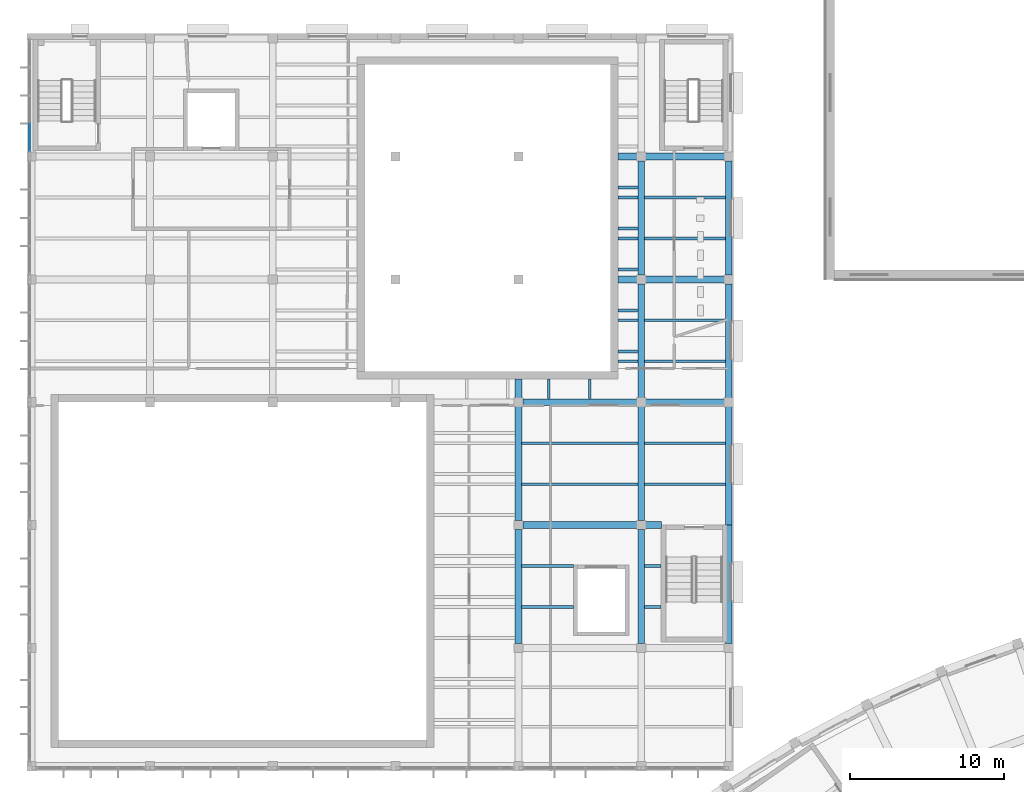
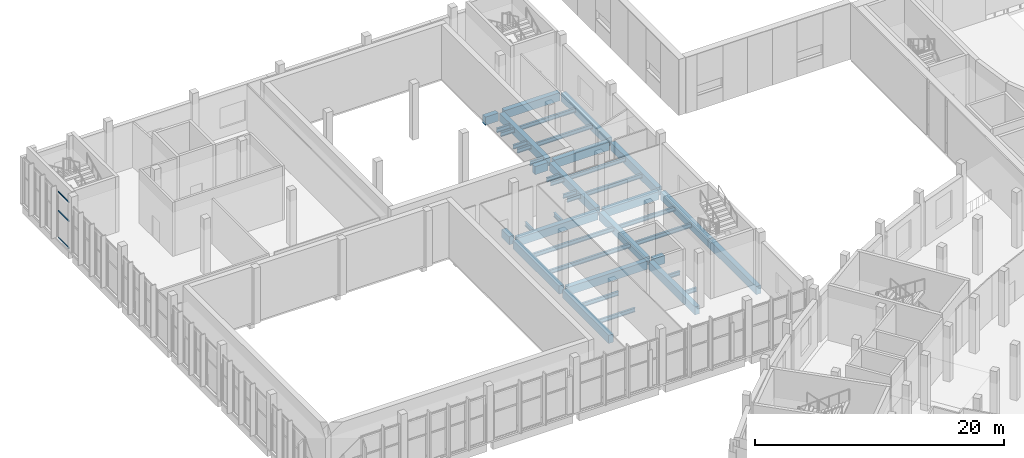
# One storey, part 14 of 87: 42 beams, 3 members, 1 element without a shape of its own.
"""IFC4 building model written with IfcOpenShell, lengths in metres."""

import ifcopenshell
import ifcopenshell.guid

model = None  # the IFC model being written
_history = None  # IfcOwnerHistory: only IFC2X3 demands one
_inside = {}  # id of a spatial element -> (the spatial element, [elements in it])
_under = {}  # id of a project, library or spatial element -> (it, [spatial elements below it])
_declared = {}  # id of a project -> (the project, [libraries it declares])
_typed = {}  # id of a type object -> (the type object, [elements of that type])
_made_of = {}  # id of a material, layer set ... -> (it, [elements and type objects made of it])


def new_model(schema):
    """Start an empty IFC model of exactly this schema.

    Asked for "IFC4X3", IfcOpenShell would pick the latest addendum, in which some entities
    have other attributes; the version numbers below select the first issue.
    IFC2X3 requires an IfcOwnerHistory on every rooted entity: one is made here for all.
    """
    global model, _history
    if schema == "IFC4X3":
        model = ifcopenshell.file(schema_version=(4, 3, 0, 0))
    else:
        model = ifcopenshell.file(schema=schema)
    _inside.clear()
    _under.clear()
    _declared.clear()
    _typed.clear()
    _made_of.clear()
    _history = None
    if model.schema == "IFC2X3":
        org = make("IfcOrganization", Name="unknown")
        user = make(
            "IfcPersonAndOrganization",
            ThePerson=make("IfcPerson", FamilyName="unknown"),
            TheOrganization=org,
        )
        app = make(
            "IfcApplication",
            ApplicationDeveloper=org,
            Version="unknown",
            ApplicationFullName="unknown",
            ApplicationIdentifier="unknown",
        )
        _history = make(
            "IfcOwnerHistory",
            OwningUser=user,
            OwningApplication=app,
            ChangeAction="ADDED",
            CreationDate=0,
        )
    return model


def make(cls, **values):
    """One entity of the class cls with the attributes given. An attribute that is None is left unset."""
    return model.create_entity(
        cls, **{name: value for name, value in values.items() if value is not None}
    )


def rooted(cls, **values):
    """An entity with a GlobalId (a new one), such as an element, a storey or a relation."""
    return make(cls, GlobalId=ifcopenshell.guid.new(), OwnerHistory=_history, **values)


def si_unit(unit_type, name, prefix=None):
    """IfcSIUnit, for example si_unit("LENGTHUNIT", "METRE", prefix="MILLI")."""
    return make("IfcSIUnit", UnitType=unit_type, Prefix=prefix, Name=name)


def assignment(units):
    """IfcUnitAssignment: the units of a project."""
    return None if units is None else make("IfcUnitAssignment", Units=units)


def point(xyz):
    """IfcCartesianPoint."""
    return None if xyz is None else make("IfcCartesianPoint", Coordinates=xyz)


def direction(xyz):
    """IfcDirection."""
    return None if xyz is None else make("IfcDirection", DirectionRatios=xyz)


def frame(location, z_axis=None, x_axis=None):
    """IfcAxis2Placement3D, a coordinate frame: its origin and axes. An axis left out is left unset."""
    return make(
        "IfcAxis2Placement3D",
        Location=point(location),
        Axis=direction(z_axis),
        RefDirection=direction(x_axis),
    )


def frame_2d(location, x_axis=None):
    """IfcAxis2Placement2D, a coordinate frame in the plane: its origin and x axis."""
    return make(
        "IfcAxis2Placement2D", Location=point(location), RefDirection=direction(x_axis)
    )


def origin():
    """The frame at (0, 0, 0) with its axes left unset."""
    return frame((0.0, 0.0, 0.0))


def origin_2d():
    """The frame at (0, 0) in the plane with its x axis left unset."""
    return frame_2d((0.0, 0.0))


def place(relative_to, where):
    """IfcLocalPlacement: puts the frame where relative to a parent placement (None: the world)."""
    return make(
        "IfcLocalPlacement", PlacementRelTo=relative_to, RelativePlacement=where
    )


def context(
    kind, dimensions, precision=None, world=None, true_north=None, identifier=None
):
    """IfcGeometricRepresentationContext, for example the 3D "Model" context."""
    return make(
        "IfcGeometricRepresentationContext",
        ContextIdentifier=identifier,
        ContextType=kind,
        CoordinateSpaceDimension=dimensions,
        Precision=precision,
        WorldCoordinateSystem=world,
        TrueNorth=true_north,
    )


def subcontext(parent, identifier, kind, view, scale=None):
    """IfcGeometricRepresentationSubContext, for example "Body" below "Model"."""
    return make(
        "IfcGeometricRepresentationSubContext",
        ContextIdentifier=identifier,
        ContextType=kind,
        ParentContext=parent,
        TargetScale=scale,
        TargetView=view,
    )


def project(units=None, contexts=None):
    """IfcProject with its units and contexts."""
    return rooted(
        "IfcProject",
        Name="project",
        RepresentationContexts=contexts,
        UnitsInContext=assignment(units),
    )


def spatial(cls, under=None, at=None, **own):
    """A site, building, storey or space (cls), placed at a placement, below another one or the project."""
    s = rooted(cls, ObjectPlacement=at, **own)
    if under is not None:
        _under.setdefault(under.id(), (under, []))[1].append(s)
    return s


def profile(cls, at=None, kind="AREA", **sizes):
    """A parametric profile (cls). Its sizes go by their IFC names, for example OverallWidth=200.0."""
    return make(cls, ProfileType=kind, Position=at, **sizes)


def rectangle(**sizes):
    """IfcRectangleProfileDef."""
    return profile("IfcRectangleProfileDef", **sizes)


def i_section(**sizes):
    """IfcIShapeProfileDef."""
    return profile("IfcIShapeProfileDef", **sizes)


def extrude(swept, where, along, depth):
    """IfcExtrudedAreaSolid: the profile swept, set in the frame where, extruded along a direction by depth."""
    return make(
        "IfcExtrudedAreaSolid",
        SweptArea=swept,
        Position=where,
        ExtrudedDirection=direction(along),
        Depth=depth,
    )


def shape(context_of_items, identifier, shape_type, items):
    """IfcShapeRepresentation: the items that make up one representation, for example the "Body"."""
    return make(
        "IfcShapeRepresentation",
        ContextOfItems=context_of_items,
        RepresentationIdentifier=identifier,
        RepresentationType=shape_type,
        Items=items,
    )


def material(Name=None, Category=None):
    """IfcMaterial."""
    return make("IfcMaterial", Name=Name, Category=Category)


def layer(
    of_material, thickness, ventilated=None, Name=None, Category=None, Priority=None
):
    """IfcMaterialLayer: one layer of a wall or slab, of a material (None: an air gap)."""
    return make(
        "IfcMaterialLayer",
        Material=of_material,
        LayerThickness=thickness,
        IsVentilated=ventilated,
        Name=Name,
        Category=Category,
        Priority=Priority,
    )


def layer_set(layers, Name=None):
    """IfcMaterialLayerSet."""
    return make("IfcMaterialLayerSet", MaterialLayers=layers, LayerSetName=Name)


def material_profile(
    of_material, cross_section, Name=None, Category=None, Priority=None
):
    """IfcMaterialProfile: a cross section and its material."""
    return make(
        "IfcMaterialProfile",
        Name=Name,
        Material=of_material,
        Profile=cross_section,
        Priority=Priority,
        Category=Category,
    )


def profile_set(profiles, Name=None, composite=None):
    """IfcMaterialProfileSet."""
    return make(
        "IfcMaterialProfileSet",
        Name=Name,
        MaterialProfiles=profiles,
        CompositeProfile=composite,
    )


def made_of(thing, what):
    """Note that an element or type object is made of a material, layer set ...; save() writes the relation."""
    if what is not None:
        _made_of.setdefault(what.id(), (what, []))[1].append(thing)
    return thing


def type_object(cls, material=None, **own):
    """A type object (cls), such as IfcWallType, which elements share."""
    return made_of(rooted(cls, **own), material)


def element(
    cls,
    number,
    at=None,
    inside=None,
    cuts=None,
    type_object=None,
    material=None,
    context=None,
    identifier="Body",
    shape_type=None,
    held_by="IfcProductDefinitionShape",
    body=None,
    shapes=None,
    **own,
):
    """One element of the class cls, such as IfcWall. Its Tag is "e" and its number.

    at: its placement. inside: the storey or other place that contains it. cuts: it is an
    opening in that element (IfcRelVoidsElement). A single representation is given by context,
    identifier, shape_type and body (its items); several are given by shapes. held_by: the class
    of the entity that holds the representations. save() writes the other relations.
    """
    e = rooted(cls, Tag="e%d" % number, ObjectPlacement=at, **own)
    if body is not None:
        shapes = [shape(context, identifier, shape_type, body)]
    if shapes is not None:
        e.Representation = make(held_by, Representations=shapes)
    if inside is not None:
        _inside.setdefault(inside.id(), (inside, []))[1].append(e)
    if cuts is not None:
        rooted(
            "IfcRelVoidsElement", RelatingBuildingElement=cuts, RelatedOpeningElement=e
        )
    if type_object is not None:
        _typed.setdefault(type_object.id(), (type_object, []))[1].append(e)
    return made_of(e, material)


def aggregate(whole, parts):
    """IfcRelAggregates: a whole, such as a stair, and the parts it consists of."""
    return rooted("IfcRelAggregates", RelatingObject=whole, RelatedObjects=parts)


def save(model, path):
    """Write the relations noted so far, then the file.

    IfcRelAggregates (storeys below a building ...), IfcRelContainedInSpatialStructure (elements
    in a storey), IfcRelDefinesByType, IfcRelAssociatesMaterial and IfcRelDeclares: one each for
    every whole, place, type object, material and project.
    """
    for whole, parts in _under.values():
        aggregate(whole, parts)
    for where, things in _inside.values():
        rooted(
            "IfcRelContainedInSpatialStructure",
            RelatedElements=things,
            RelatingStructure=where,
        )
    for kind, things in _typed.values():
        rooted("IfcRelDefinesByType", RelatedObjects=things, RelatingType=kind)
    for what, things in _made_of.values():
        rooted("IfcRelAssociatesMaterial", RelatedObjects=things, RelatingMaterial=what)
    for by, libraries in _declared.values():
        rooted("IfcRelDeclares", RelatingContext=by, RelatedDefinitions=libraries)
    model.write(path)


model = new_model("IFC4")

# Units and contexts
model_context = context("Model", 3, precision=1e-05, world=origin(), true_north=direction((0.0, 1.0)))
body_context = subcontext(model_context, "Body", "Model", "MODEL_VIEW")
ifc_project = project(units=[si_unit("LENGTHUNIT", "METRE"), si_unit("AREAUNIT", "SQUARE_METRE"), si_unit("VOLUMEUNIT", "CUBIC_METRE"), si_unit("PLANEANGLEUNIT", "RADIAN"), si_unit("MASSUNIT", "GRAM", prefix="KILO")], contexts=[model_context])

# Site, building, storey
site_placement = place(None, origin())
site = spatial("IfcSite", under=ifc_project, at=site_placement, CompositionType="ELEMENT")
building_placement = place(site_placement, origin())
building = spatial("IfcBuilding", under=site, at=building_placement, Name="Lunette Opera House", CompositionType="ELEMENT")
storey_placement = place(building_placement, frame((0.0, 0.0, 11.5)))
storey = spatial("IfcBuildingStorey", under=building, at=storey_placement, Name="L02", CompositionType="ELEMENT", Elevation=11.5)

# Beams
ifc_material_1 = material(Name="Concrete C35/45", Category="concrete")
ifc_material_profile_1 = material_profile(ifc_material_1, rectangle(XDim=0.449951171875, YDim=0.800048828125, at=origin_2d()), Name="RC BEAM 450X800")
ifc_profile_set_1 = profile_set([ifc_material_profile_1], Name="Concrete C35/45")
beam_type_1 = type_object("IfcBeamType", Name="RC BEAM 450X800", PredefinedType="BEAM", material=ifc_profile_set_1)
for number, where, z_axis, x_axis, name in (
    (1, (40.0, 72.2900390625, -0.550048828125), (0.0, 1.0, 0.0), (-1.0, 0.0, 0.0), "beam-RW-L02-L02-GY41"),
    (2, (40.0, 80.2900390625, -0.550048828125), (0.0, 1.0, 0.0), (-1.0, 0.0, 0.0), "beam-RW-L02-L02-GY42"),
):
    element("IfcBeam", number, at=place(storey_placement, frame(where, z_axis=z_axis, x_axis=x_axis)), inside=storey, type_object=beam_type_1, Name=name, PredefinedType="BEAM", context=body_context, shape_type="SweptSolid", body=[
        extrude(rectangle(XDim=0.449951171875, YDim=0.800048828125, at=origin_2d()), origin(), (0.0, 0.0, 1.0), 7.419921875),
    ])
beam_1_placement = place(storey_placement, frame((40.0, 88.2900390625, -0.550048828125), z_axis=(0.0, 1.0, 0.0), x_axis=(-1.0, 0.0, 0.0)))
element("IfcBeam", 3, at=beam_1_placement, inside=storey, type_object=beam_type_1, Name="beam-RW-L02-L02-GY43", PredefinedType="BEAM", context=body_context, shape_type="SweptSolid", body=[
    extrude(rectangle(XDim=0.449951171875, YDim=0.800048828125, at=origin_2d()), origin(), (0.0, 0.0, 1.0), 1.219970703125),
])
for number, where, z_axis, x_axis, name in (
    (4, (48.0, 72.2900390625, -0.550048828125), (0.0, 1.0, 0.0), (-1.0, 0.0, 0.0), "beam-RW-L02-L02-GY51"),
    (5, (48.0, 80.2900390625, -0.550048828125), (0.0, 1.0, 0.0), (-1.0, 0.0, 0.0), "beam-RW-L02-L02-GY52"),
    (6, (48.0, 88.2900390625, -0.550048828125), (0.0, 1.0, 0.0), (-1.0, 0.0, 0.0), "beam-RW-L02-L02-GY53"),
    (7, (48.0, 96.2900390625, -0.550048828125), (0.0, 1.0, 0.0), (-1.0, 0.0, 0.0), "beam-RW-L02-L02-GY54"),
):
    element("IfcBeam", number, at=place(storey_placement, frame(where, z_axis=z_axis, x_axis=x_axis)), inside=storey, type_object=beam_type_1, Name=name, PredefinedType="BEAM", context=body_context, shape_type="SweptSolid", body=[
        extrude(rectangle(XDim=0.449951171875, YDim=0.800048828125, at=origin_2d()), origin(), (0.0, 0.0, 1.0), 7.419921875),
    ])
for number, where, z_axis, x_axis, name in (
    (8, (53.699951171875, 72.2900390625, -0.550048828125), (0.0, 1.0, 0.0), (-1.0, 0.0, 0.0), "beam-RW-L02-L02-GY61"),
    (9, (53.699951171875, 80.0, -0.550048828125), (0.0, 1.0, 0.0), (-1.0, 0.0, 0.0), "beam-RW-L02-L02-GY62"),
):
    element("IfcBeam", number, at=place(storey_placement, frame(where, z_axis=z_axis, x_axis=x_axis)), inside=storey, type_object=beam_type_1, Name=name, PredefinedType="BEAM", context=body_context, shape_type="SweptSolid", body=[
        extrude(rectangle(XDim=0.449951171875, YDim=0.800048828125, at=origin_2d()), origin(), (0.0, 0.0, 1.0), 7.7099609375),
    ])
for number, where, z_axis, x_axis, name in (
    (10, (53.699951171875, 88.2900390625, -0.550048828125), (0.0, 1.0, 0.0), (-1.0, 0.0, 0.0), "beam-RW-L02-L02-GY63"),
    (11, (53.699951171875, 96.2900390625, -0.550048828125), (0.0, 1.0, 0.0), (-1.0, 0.0, 0.0), "beam-RW-L02-L02-GY64"),
    (12, (40.2900390625, 80.0, -0.550048828125), (1.0, 0.0, 0.0), (0.0, 1.0, 0.0), "beam-RW-L02-L02-GX42"),
):
    element("IfcBeam", number, at=place(storey_placement, frame(where, z_axis=z_axis, x_axis=x_axis)), inside=storey, type_object=beam_type_1, Name=name, PredefinedType="BEAM", context=body_context, shape_type="SweptSolid", body=[
        extrude(rectangle(XDim=0.449951171875, YDim=0.800048828125, at=origin_2d()), origin(), (0.0, 0.0, 1.0), 7.419921875),
    ])
beam_2_placement = place(storey_placement, frame((48.2900390625, 80.0, -0.550048828125), z_axis=(1.0, 0.0, 0.0), x_axis=(0.0, 1.0, 0.0)))
element("IfcBeam", 13, at=beam_2_placement, inside=storey, type_object=beam_type_1, Name="beam-RW-L02-L02-GX52", PredefinedType="BEAM", context=body_context, shape_type="SweptSolid", body=[
    extrude(rectangle(XDim=0.449951171875, YDim=0.800048828125, at=origin_2d()), origin(), (0.0, 0.0, 1.0), 1.02001953125),
])
beam_3_placement = place(storey_placement, frame((40.2900390625, 88.0, -0.550048828125), z_axis=(1.0, 0.0, 0.0), x_axis=(0.0, 1.0, 0.0)))
element("IfcBeam", 14, at=beam_3_placement, inside=storey, type_object=beam_type_1, Name="beam-RW-L02-L02-GX43", PredefinedType="BEAM", context=body_context, shape_type="SweptSolid", body=[
    extrude(rectangle(XDim=0.449951171875, YDim=0.800048828125, at=origin_2d()), origin(), (0.0, 0.0, 1.0), 7.419921875),
])
beam_4_placement = place(storey_placement, frame((48.2900390625, 88.0, -0.550048828125), z_axis=(1.0, 0.0, 0.0), x_axis=(0.0, 1.0, 0.0)))
element("IfcBeam", 15, at=beam_4_placement, inside=storey, type_object=beam_type_1, Name="beam-RW-L02-L02-GX53", PredefinedType="BEAM", context=body_context, shape_type="SweptSolid", body=[
    extrude(rectangle(XDim=0.449951171875, YDim=0.800048828125, at=origin_2d()), origin(), (0.0, 0.0, 1.0), 5.119873046875),
])
beam_5_placement = place(storey_placement, frame((46.489990234375, 96.0, -0.550048828125), z_axis=(1.0, 0.0, 0.0), x_axis=(0.0, 1.0, 0.0)))
element("IfcBeam", 16, at=beam_5_placement, inside=storey, type_object=beam_type_1, Name="beam-RW-L02-L02-GX44", PredefinedType="BEAM", context=body_context, shape_type="SweptSolid", body=[
    extrude(rectangle(XDim=0.449951171875, YDim=0.800048828125, at=origin_2d()), origin(), (0.0, 0.0, 1.0), 1.219970703125),
])
beam_6_placement = place(storey_placement, frame((48.2900390625, 96.0, -0.550048828125), z_axis=(1.0, 0.0, 0.0), x_axis=(0.0, 1.0, 0.0)))
element("IfcBeam", 17, at=beam_6_placement, inside=storey, type_object=beam_type_1, Name="beam-RW-L02-L02-GX54", PredefinedType="BEAM", context=body_context, shape_type="SweptSolid", body=[
    extrude(rectangle(XDim=0.449951171875, YDim=0.800048828125, at=origin_2d()), origin(), (0.0, 0.0, 1.0), 5.119873046875),
])
beam_7_placement = place(storey_placement, frame((46.489990234375, 104.0, -0.550048828125), z_axis=(1.0, 0.0, 0.0), x_axis=(0.0, 1.0, 0.0)))
element("IfcBeam", 18, at=beam_7_placement, inside=storey, type_object=beam_type_1, Name="beam-RW-L02-L02-GX45", PredefinedType="BEAM", context=body_context, shape_type="SweptSolid", body=[
    extrude(rectangle(XDim=0.449951171875, YDim=0.800048828125, at=origin_2d()), origin(), (0.0, 0.0, 1.0), 1.219970703125),
])
beam_8_placement = place(storey_placement, frame((48.2900390625, 104.0, -0.550048828125), z_axis=(1.0, 0.0, 0.0), x_axis=(0.0, 1.0, 0.0)))
element("IfcBeam", 19, at=beam_8_placement, inside=storey, type_object=beam_type_1, Name="beam-RW-L02-L02-GX55", PredefinedType="BEAM", context=body_context, shape_type="SweptSolid", body=[
    extrude(rectangle(XDim=0.449951171875, YDim=0.800048828125, at=origin_2d()), origin(), (0.0, 0.0, 1.0), 5.119873046875),
])
ifc_material_2 = material(Name="Steel S355", Category="steel")
ifc_material_profile_2 = material_profile(ifc_material_2, i_section(OverallWidth=0.179931640625, OverallDepth=0.39990234375, WebThickness=0.008544921875, FlangeThickness=0.013427734375, FilletRadius=0.02099609375, at=origin_2d()), Name="IPE 400")
ifc_profile_set_2 = profile_set([ifc_material_profile_2], Name="Steel S355")
beam_type_2 = type_object("IfcBeamType", Name="STEEL BEAM IPE 400", PredefinedType="BEAM", material=ifc_profile_set_2)
for number, where, z_axis, x_axis, name in (
    (20, (40.215087890625, 74.6669921875, -0.35009765625), (1.0, 0.0, 0.0), (0.0, 1.0, 0.0), "beam-RW-L02-L02-SX411"),
    (21, (40.215087890625, 77.3330078125, -0.35009765625), (1.0, 0.0, 0.0), (0.0, 1.0, 0.0), "beam-RW-L02-L02-SX412"),
):
    element("IfcBeam", number, at=place(storey_placement, frame(where, z_axis=z_axis, x_axis=x_axis)), inside=storey, type_object=beam_type_2, Name=name, PredefinedType="BEAM", context=body_context, shape_type="SweptSolid", body=[
        extrude(i_section(OverallWidth=0.179931640625, OverallDepth=0.39990234375, WebThickness=0.008544921875, FlangeThickness=0.013427734375, FilletRadius=0.02099609375, at=origin_2d()), origin(), (0.0, 0.0, 1.0), 3.385009765625),
    ])
for number, where, z_axis, x_axis, name in (
    (22, (40.215087890625, 82.6669921875, -0.35009765625), (1.0, 0.0, 0.0), (0.0, 1.0, 0.0), "beam-RW-L02-L02-SX421"),
    (23, (40.215087890625, 85.3330078125, -0.35009765625), (1.0, 0.0, 0.0), (0.0, 1.0, 0.0), "beam-RW-L02-L02-SX422"),
):
    element("IfcBeam", number, at=place(storey_placement, frame(where, z_axis=z_axis, x_axis=x_axis)), inside=storey, type_object=beam_type_2, Name=name, PredefinedType="BEAM", context=body_context, shape_type="SweptSolid", body=[
        extrude(i_section(OverallWidth=0.179931640625, OverallDepth=0.39990234375, WebThickness=0.008544921875, FlangeThickness=0.013427734375, FilletRadius=0.02099609375, at=origin_2d()), origin(), (0.0, 0.0, 1.0), 7.56982421875),
    ])
for number, where, z_axis, x_axis, name in (
    (24, (46.5, 90.6669921875, -0.35009765625), (1.0, 0.0, 0.0), (0.0, 1.0, 0.0), "beam-RW-L02-L02-SX431-01"),
    (25, (46.5, 93.3330078125, -0.35009765625), (1.0, 0.0, 0.0), (0.0, 1.0, 0.0), "beam-RW-L02-L02-SX432-01"),
    (26, (46.5, 98.6669921875, -0.35009765625), (1.0, 0.0, 0.0), (0.0, 1.0, 0.0), "beam-RW-L02-L02-SX441-01"),
    (27, (46.5, 101.3330078125, -0.35009765625), (1.0, 0.0, 0.0), (0.0, 1.0, 0.0), "beam-RW-L02-L02-SX442-01"),
):
    element("IfcBeam", number, at=place(storey_placement, frame(where, z_axis=z_axis, x_axis=x_axis)), inside=storey, type_object=beam_type_2, Name=name, PredefinedType="BEAM", context=body_context, shape_type="SweptSolid", body=[
        extrude(i_section(OverallWidth=0.179931640625, OverallDepth=0.39990234375, WebThickness=0.008544921875, FlangeThickness=0.013427734375, FilletRadius=0.02099609375, at=origin_2d()), origin(), (0.0, 0.0, 1.0), 1.284912109375),
    ])
for number, where, z_axis, x_axis, name in (
    (28, (48.215087890625, 74.6669921875, -0.35009765625), (1.0, 0.0, 0.0), (0.0, 1.0, 0.0), "beam-RW-L02-L02-SX511"),
    (29, (48.215087890625, 77.3330078125, -0.35009765625), (1.0, 0.0, 0.0), (0.0, 1.0, 0.0), "beam-RW-L02-L02-SX512"),
):
    element("IfcBeam", number, at=place(storey_placement, frame(where, z_axis=z_axis, x_axis=x_axis)), inside=storey, type_object=beam_type_2, Name=name, PredefinedType="BEAM", context=body_context, shape_type="SweptSolid", body=[
        extrude(i_section(OverallWidth=0.179931640625, OverallDepth=0.39990234375, WebThickness=0.008544921875, FlangeThickness=0.013427734375, FilletRadius=0.02099609375, at=origin_2d()), origin(), (0.0, 0.0, 1.0), 1.0849609375),
    ])
for number, where, z_axis, x_axis, name in (
    (30, (48.215087890625, 82.6669921875, -0.35009765625), (1.0, 0.0, 0.0), (0.0, 1.0, 0.0), "beam-RW-L02-L02-SX521"),
    (31, (48.215087890625, 85.3330078125, -0.35009765625), (1.0, 0.0, 0.0), (0.0, 1.0, 0.0), "beam-RW-L02-L02-SX522"),
    (32, (48.215087890625, 90.6669921875, -0.35009765625), (1.0, 0.0, 0.0), (0.0, 1.0, 0.0), "beam-RW-L02-L02-SX531"),
    (33, (48.215087890625, 93.3330078125, -0.35009765625), (1.0, 0.0, 0.0), (0.0, 1.0, 0.0), "beam-RW-L02-L02-SX532"),
    (34, (48.215087890625, 98.6669921875, -0.35009765625), (1.0, 0.0, 0.0), (0.0, 1.0, 0.0), "beam-RW-L02-L02-SX541"),
    (35, (48.215087890625, 101.3330078125, -0.35009765625), (1.0, 0.0, 0.0), (0.0, 1.0, 0.0), "beam-RW-L02-L02-SX542"),
):
    element("IfcBeam", number, at=place(storey_placement, frame(where, z_axis=z_axis, x_axis=x_axis)), inside=storey, type_object=beam_type_2, Name=name, PredefinedType="BEAM", context=body_context, shape_type="SweptSolid", body=[
        extrude(i_section(OverallWidth=0.179931640625, OverallDepth=0.39990234375, WebThickness=0.008544921875, FlangeThickness=0.013427734375, FilletRadius=0.02099609375, at=origin_2d()), origin(), (0.0, 0.0, 1.0), 5.27001953125),
    ])
for number, where, z_axis, x_axis, name in (
    (36, (41.97998046875, 89.5, -0.35009765625), (0.0, -1.0, 0.0), (1.0, 0.0, 0.0), "beam-RW-L02-L02-RJS30904"),
    (37, (44.64990234375, 89.5, -0.35009765625), (0.0, -1.0, 0.0), (1.0, 0.0, 0.0), "beam-RW-L02-L02-RJS30905"),
    (38, (46.5, 91.300048828125, -0.35009765625), (1.0, 0.0, 0.0), (0.0, 1.0, 0.0), "beam-RW-L02-L02-RJE30900"),
    (39, (46.5, 93.969970703125, -0.35009765625), (1.0, 0.0, 0.0), (0.0, 1.0, 0.0), "beam-RW-L02-L02-RJE30901"),
    (40, (46.5, 96.639892578125, -0.35009765625), (1.0, 0.0, 0.0), (0.0, 1.0, 0.0), "beam-RW-L02-L02-RJE30902"),
    (41, (46.5, 99.31005859375, -0.35009765625), (1.0, 0.0, 0.0), (0.0, 1.0, 0.0), "beam-RW-L02-L02-RJE30903"),
    (42, (46.5, 101.97998046875, -0.35009765625), (1.0, 0.0, 0.0), (0.0, 1.0, 0.0), "beam-RW-L02-L02-RJE30904"),
):
    element("IfcBeam", number, at=place(storey_placement, frame(where, z_axis=z_axis, x_axis=x_axis)), inside=storey, type_object=beam_type_2, Name=name, PredefinedType="BEAM", context=body_context, shape_type="SweptSolid", body=[
        extrude(i_section(OverallWidth=0.179931640625, OverallDepth=0.39990234375, WebThickness=0.008544921875, FlangeThickness=0.013427734375, FilletRadius=0.02099609375, at=origin_2d()), origin(), (0.0, 0.0, 1.0), 1.264892578125),
    ])

# Curtain wall, members
ifc_material_3 = material(Name="Aluminium", Category="aluminium")
ifc_layer = layer(ifc_material_3, 0.179931640625)
ifc_layer_set = layer_set([ifc_layer], Name="Aluminium")
curtain_wall_type = type_object("IfcCurtainWallType", Name="SUN FACE CURTAIN WALL", PredefinedType="NOTDEFINED", material=ifc_layer_set)
curtain_wall_placement = place(storey_placement, origin())
curtain_wall = element("IfcCurtainWall", 43, at=curtain_wall_placement, inside=storey, type_object=curtain_wall_type, Name="Sun Face Curtain Wall F13 L02", PredefinedType="NOTDEFINED")
ifc_material_4 = material(Name="Aluminium", Category="aluminium")
ifc_material_profile_3 = material_profile(ifc_material_4, rectangle(XDim=0.06005859375, YDim=0.139892578125, at=origin_2d()), Name="TRANSOM 60 X 140")
ifc_profile_set_3 = profile_set([ifc_material_profile_3], Name="Aluminium")
member_type = type_object("IfcMemberType", Name="TRANSOM 60 X 140", PredefinedType="USERDEFINED", material=ifc_profile_set_3)
member_1_placement = place(storey_placement, frame((8.181884765625, 106.126220703125, 0.030029296875), z_axis=(0.0, -1.0, 0.0), x_axis=(1.0, 0.0, 0.0)))
member_1 = element("IfcMember", 44, at=member_1_placement, type_object=member_type, Name="RW-X2029 transom 4.1", ObjectType="TRANSOM", PredefinedType="USERDEFINED", context=body_context, shape_type="SweptSolid", body=[
    extrude(rectangle(XDim=0.06005859375, YDim=0.139892578125, at=origin_2d()), origin(), (0.0, 0.0, 1.0), 1.736328125),
])
member_2_placement = place(storey_placement, frame((8.181884765625, 106.126220703125, 2.675048828125), z_axis=(0.0, -1.0, 0.0), x_axis=(1.0, 0.0, 0.0)))
member_2 = element("IfcMember", 45, at=member_2_placement, type_object=member_type, Name="RW-X2029 transom 4.2", ObjectType="TRANSOM", PredefinedType="USERDEFINED", context=body_context, shape_type="SweptSolid", body=[
    extrude(rectangle(XDim=0.06005859375, YDim=0.139892578125, at=origin_2d()), origin(), (0.0, 0.0, 1.0), 1.736328125),
])
member_3_placement = place(storey_placement, frame((8.181884765625, 106.126220703125, 4.52001953125), z_axis=(0.0, -1.0, 0.0), x_axis=(1.0, 0.0, 0.0)))
member_3 = element("IfcMember", 46, at=member_3_placement, type_object=member_type, Name="RW-X2029 transom 4.3", ObjectType="TRANSOM", PredefinedType="USERDEFINED", context=body_context, shape_type="SweptSolid", body=[
    extrude(rectangle(XDim=0.06005859375, YDim=0.139892578125, at=origin_2d()), origin(), (0.0, 0.0, 1.0), 1.736328125),
])
aggregate(curtain_wall, [member_1, member_2, member_3])

save(model, "model.ifc")
